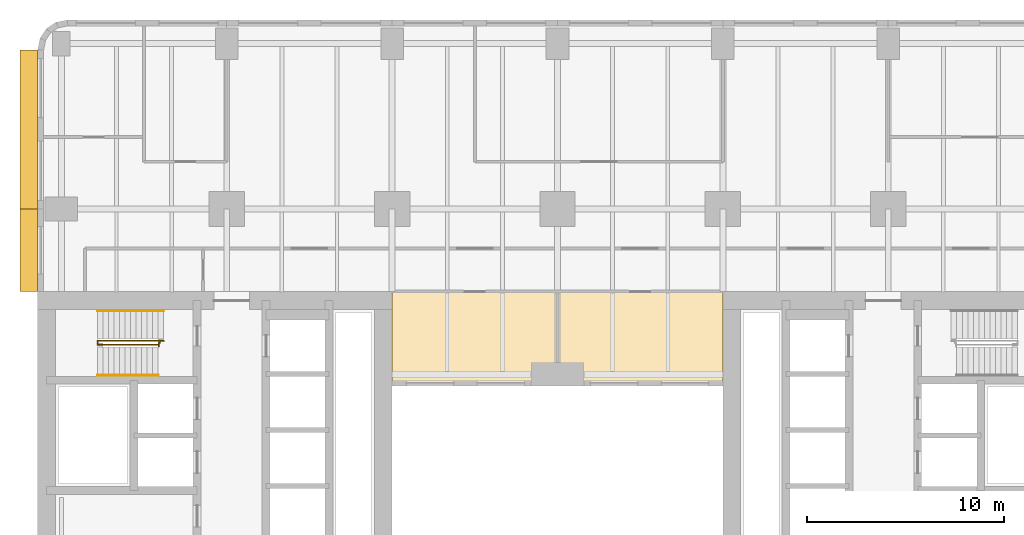
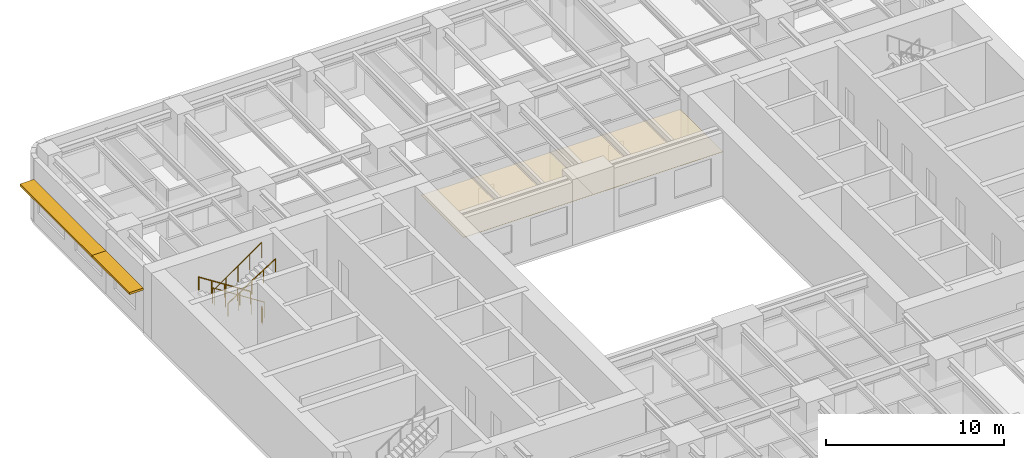
# One storey, part 12 of 14: 4 railings, 2 coverings, 2 shading devices.
"""IFC4 building model written with IfcOpenShell, lengths in metres."""

from ifc_helpers import new_model, si_unit, direction, frame, origin, origin_2d, place, context, subcontext, project, spatial, polyline, rectangle, circle, outline, extrude, material, layer, layer_set, type_object, element, save


model = new_model("IFC4")

# Units and contexts
model_context = context("Model", 3, precision=1e-05, world=origin(), true_north=direction((0.0, 1.0)))
body_context = subcontext(model_context, "Body", "Model", "MODEL_VIEW")
ifc_project = project(units=[si_unit("LENGTHUNIT", "METRE"), si_unit("AREAUNIT", "SQUARE_METRE"), si_unit("VOLUMEUNIT", "CUBIC_METRE"), si_unit("PLANEANGLEUNIT", "RADIAN"), si_unit("MASSUNIT", "GRAM", prefix="KILO")], contexts=[model_context])

# Site, building, storey
site_placement = place(None, origin())
site = spatial("IfcSite", under=ifc_project, at=site_placement, CompositionType="ELEMENT")
building_placement = place(site_placement, origin())
building = spatial("IfcBuilding", under=site, at=building_placement, Name="Claustro Exchange Tower", CompositionType="ELEMENT")
storey_placement = place(building_placement, frame((0.0, 0.0, 59.39990234375)))
storey = spatial("IfcBuildingStorey", under=building, at=storey_placement, Name="L13", CompositionType="ELEMENT", Elevation=59.39990234375)

# Coverings
ifc_material_1 = material(Name="Gypsum board ceiling", Category="gypsum board")
ifc_layer_1 = layer(ifc_material_1, 0.02490234375)
ifc_layer_set_1 = layer_set([ifc_layer_1], Name="Gypsum board ceiling")
covering_type = type_object("IfcCoveringType", Name="CL2 plasterboard ceiling", PredefinedType="CEILING", material=ifc_layer_set_1)
covering_1_placement = place(storey_placement, frame((0.0, 0.0, 3.0)))
element("IfcCovering", 1, at=covering_1_placement, inside=storey, type_object=covering_type, Name="Ceiling CL2 L13-13", PredefinedType="CEILING", context=body_context, shape_type="SweptSolid", body=[
    extrude(outline(polyline([(16.800048828125, 33.0), (25.199951171875, 33.0), (25.199951171875, 37.800048828125), (16.800048828125, 37.800048828125), (16.800048828125, 33.0)])), origin(), (0.0, 0.0, 1.0), 0.025146484375),
])
covering_2_placement = place(storey_placement, frame((0.0, 0.0, 3.0)))
element("IfcCovering", 2, at=covering_2_placement, inside=storey, type_object=covering_type, Name="Ceiling CL2 L13-14", PredefinedType="CEILING", context=body_context, shape_type="SweptSolid", body=[
    extrude(outline(polyline([(33.60009765625, 33.0), (33.60009765625, 37.800048828125), (25.199951171875, 37.800048828125), (25.199951171875, 33.0), (33.60009765625, 33.0)])), origin(), (0.0, 0.0, 1.0), 0.025146484375),
])

# Railings
ifc_material_2 = material(Name="Steel balustrade, painted", Category="steel")
railing_type_1 = type_object("IfcRailingType", Name="GR2 1100 steel stair guard", PredefinedType="GUARDRAIL", material=ifc_material_2)
railing_1_placement = place(storey_placement, frame((5.199951171875, 35.300048828125, 0.18017578125)))
element("IfcRailing", 3, at=railing_1_placement, inside=storey, type_object=railing_type_1, Name="Stair well guard GR2 stair STWB L13", PredefinedType="GUARDRAIL", context=body_context, shape_type="SweptSolid", body=[
    extrude(circle(Radius=0.02392578125, at=origin_2d()), frame((0.0, 0.0, 1.076171875), z_axis=(-0.841178475377, 0.0, 0.540757591313), x_axis=(0.0, -1.0, 0.0)), (0.0, 0.0, 1.0), 3.994140625),
    extrude(circle(Radius=0.02392578125, at=origin_2d()), frame((-3.35986328125, 0.0, 3.23583984375), z_axis=(0.0, -1.0, 0.0), x_axis=(1.0, 0.0, 0.0)), (0.0, 0.0, 1.0), 0.199951171875),
    extrude(circle(Radius=0.02392578125, at=origin_2d()), frame((-3.35986328125, -0.199951171875, 3.23583984375), z_axis=(0.818728512145, 0.0, 0.574180828137), x_axis=(0.0, 1.0, 0.0)), (0.0, 0.0, 1.0), 3.76171875),
    extrude(circle(Radius=0.02099609375, at=origin_2d()), origin(), (0.0, 0.0, 1.0), 1.052001953125),
    extrude(circle(Radius=0.02099609375, at=origin_2d()), frame((-0.83984375, 0.0, 0.5400390625)), (0.0, 0.0, 1.0), 1.052001953125),
    extrude(circle(Radius=0.02099609375, at=origin_2d()), frame((-1.679931640625, 0.0, 1.080078125)), (0.0, 0.0, 1.0), 1.052001953125),
    extrude(circle(Radius=0.02099609375, at=origin_2d()), frame((-2.52001953125, 0.0, 1.619873046875)), (0.0, 0.0, 1.0), 1.052001953125),
    extrude(circle(Radius=0.02099609375, at=origin_2d()), frame((-3.35986328125, 0.0, 2.159912109375)), (0.0, 0.0, 1.0), 1.052001953125),
    extrude(circle(Radius=0.02099609375, at=origin_2d()), frame((-3.35986328125, -0.199951171875, 2.159912109375)), (0.0, 0.0, 1.0), 1.052001953125),
    extrude(circle(Radius=0.02099609375, at=origin_2d()), frame((-2.58984375, -0.199951171875, 2.699951171875)), (0.0, 0.0, 1.0), 1.052001953125),
    extrude(circle(Radius=0.02099609375, at=origin_2d()), frame((-1.81982421875, -0.199951171875, 3.23974609375)), (0.0, 0.0, 1.0), 1.052001953125),
    extrude(circle(Radius=0.02099609375, at=origin_2d()), frame((-1.050048828125, -0.199951171875, 3.77978515625)), (0.0, 0.0, 1.0), 1.052001953125),
    extrude(circle(Radius=0.02099609375, at=origin_2d()), frame((-0.280029296875, -0.199951171875, 4.31982421875)), (0.0, 0.0, 1.0), 1.052001953125),
])
railing_2_placement = place(storey_placement, frame((5.0, 35.22998046875, 0.0)))
element("IfcRailing", 4, at=railing_2_placement, inside=storey, type_object=railing_type_1, Name="Stair guard GR2 STWB L13", PredefinedType="GUARDRAIL", context=body_context, shape_type="SweptSolid", body=[
    extrude(circle(Radius=0.02392578125, at=origin_2d()), frame((0.0, 0.0, 1.076171875), z_axis=(0.0, -1.0, 0.0), x_axis=(1.0, 0.0, 0.0)), (0.0, 0.0, 1.0), 0.030029296875),
    extrude(circle(Radius=0.02392578125, at=origin_2d()), frame((0.0, -0.030029296875, 1.076171875), z_axis=(-1.0, 0.0, 0.0), x_axis=(0.0, -1.0, 0.0)), (0.0, 0.0, 1.0), 0.054931640625),
    extrude(circle(Radius=0.02392578125, at=origin_2d()), frame((-0.054931640625, -0.030029296875, 1.076171875), z_axis=(0.0, -1.0, 0.0), x_axis=(1.0, 0.0, 0.0)), (0.0, 0.0, 1.0), 0.179931640625),
    extrude(circle(Radius=0.02099609375, at=origin_2d()), origin(), (0.0, 0.0, 1.0), 1.052001953125),
    extrude(circle(Radius=0.02099609375, at=origin_2d()), frame((0.0, -0.030029296875, 0.0)), (0.0, 0.0, 1.0), 1.052001953125),
    extrude(circle(Radius=0.02099609375, at=origin_2d()), frame((-0.054931640625, -0.030029296875, 0.0)), (0.0, 0.0, 1.0), 1.052001953125),
    extrude(circle(Radius=0.02099609375, at=origin_2d()), frame((-0.054931640625, -0.2099609375, 0.0)), (0.0, 0.0, 1.0), 1.052001953125),
])
ifc_material_3 = material(Name="Stainless steel tube", Category="steel")
railing_type_2 = type_object("IfcRailingType", Name="HR1 900 stair handrail", PredefinedType="HANDRAIL", material=ifc_material_3)
railing_3_placement = place(storey_placement, frame((5.199951171875, 36.840087890625, 0.18017578125)))
element("IfcRailing", 5, at=railing_3_placement, inside=storey, type_object=railing_type_2, Name="Handrail HR1 stair STWB L13", PredefinedType="HANDRAIL", context=body_context, shape_type="SweptSolid", body=[
    extrude(circle(Radius=0.02392578125, at=origin_2d()), frame((0.0, 0.0, 0.8759765625), z_axis=(-0.841178475377, 0.0, 0.540757591313), x_axis=(0.0, -1.0, 0.0)), (0.0, 0.0, 1.0), 3.994140625),
    extrude(circle(Radius=0.02099609375, at=origin_2d()), origin(), (0.0, 0.0, 1.0), 0.851806640625),
    extrude(circle(Radius=0.02099609375, at=origin_2d()), frame((-0.83984375, 0.0, 0.5400390625)), (0.0, 0.0, 1.0), 0.851806640625),
    extrude(circle(Radius=0.02099609375, at=origin_2d()), frame((-1.679931640625, 0.0, 1.080078125)), (0.0, 0.0, 1.0), 0.851806640625),
    extrude(circle(Radius=0.02099609375, at=origin_2d()), frame((-2.52001953125, 0.0, 1.619873046875)), (0.0, 0.0, 1.0), 0.851806640625),
    extrude(circle(Radius=0.02099609375, at=origin_2d()), frame((-3.35986328125, 0.0, 2.159912109375)), (0.0, 0.0, 1.0), 0.851806640625),
])
railing_4_placement = place(storey_placement, frame((1.840087890625, 33.56005859375, 2.52001953125)))
element("IfcRailing", 6, at=railing_4_placement, inside=storey, type_object=railing_type_2, Name="Handrail HR1 stair STWB L13", PredefinedType="HANDRAIL", context=body_context, shape_type="SweptSolid", body=[
    extrude(circle(Radius=0.02392578125, at=origin_2d()), frame((0.0, 0.0, 0.8759765625), z_axis=(0.841167642724, 0.0, 0.540774441735), x_axis=(0.0, 1.0, 0.0)), (0.0, 0.0, 1.0), 3.661376953125),
    extrude(circle(Radius=0.02099609375, at=origin_2d()), origin(), (0.0, 0.0, 1.0), 0.851806640625),
    extrude(circle(Radius=0.02099609375, at=origin_2d()), frame((0.77001953125, 0.0, 0.4951171875)), (0.0, 0.0, 1.0), 0.851806640625),
    extrude(circle(Radius=0.02099609375, at=origin_2d()), frame((1.5400390625, 0.0, 0.989990234375)), (0.0, 0.0, 1.0), 0.851806640625),
    extrude(circle(Radius=0.02099609375, at=origin_2d()), frame((2.309814453125, 0.0, 1.48486328125)), (0.0, 0.0, 1.0), 0.851806640625),
    extrude(circle(Radius=0.02099609375, at=origin_2d()), frame((3.079833984375, 0.0, 1.97998046875)), (0.0, 0.0, 1.0), 0.851806640625),
])

# Shading devices
ifc_material_4 = material(Name="Concrete HA-40 (C40/50), precast, white cement, acid-etched", Category="concrete")
ifc_layer_2 = layer(ifc_material_4, 0.14990234375)
ifc_layer_set_2 = layer_set([ifc_layer_2], Name="Concrete HA-40 (C40/50), precast, white cement, acid-etched")
shading_device_type = type_object("IfcShadingDeviceType", Name="SS2 900 precast concrete SUNSHADE", PredefinedType="SHUTTER", material=ifc_layer_set_2)
shading_device_1_placement = place(storey_placement, frame((-1.64990234375, 39.89990234375, 2.800048828125), z_axis=(0.0, 0.0, 1.0), x_axis=(0.0, 1.0, 0.0)))
element("IfcShadingDevice", 7, at=shading_device_1_placement, inside=storey, type_object=shading_device_type, Name="Precast SUNSHADE SS2 L13", PredefinedType="SHUTTER", context=body_context, shape_type="SweptSolid", body=[
    extrude(rectangle(XDim=4.199951171875, YDim=0.89990234375, at=origin_2d()), origin(), (0.0, 0.0, 1.0), 0.14990234375),
])
shading_device_2_placement = place(storey_placement, frame((-1.64990234375, 46.04248046875, 2.800048828125), z_axis=(0.0, 0.0, 1.0), x_axis=(0.0, 1.0, 0.0)))
element("IfcShadingDevice", 8, at=shading_device_2_placement, inside=storey, type_object=shading_device_type, Name="Precast SUNSHADE SS2 L13", PredefinedType="SHUTTER", context=body_context, shape_type="SweptSolid", body=[
    extrude(rectangle(XDim=8.085205078125, YDim=0.89990234375, at=origin_2d()), origin(), (0.0, 0.0, 1.0), 0.14990234375),
])

save(model, "model.ifc")
